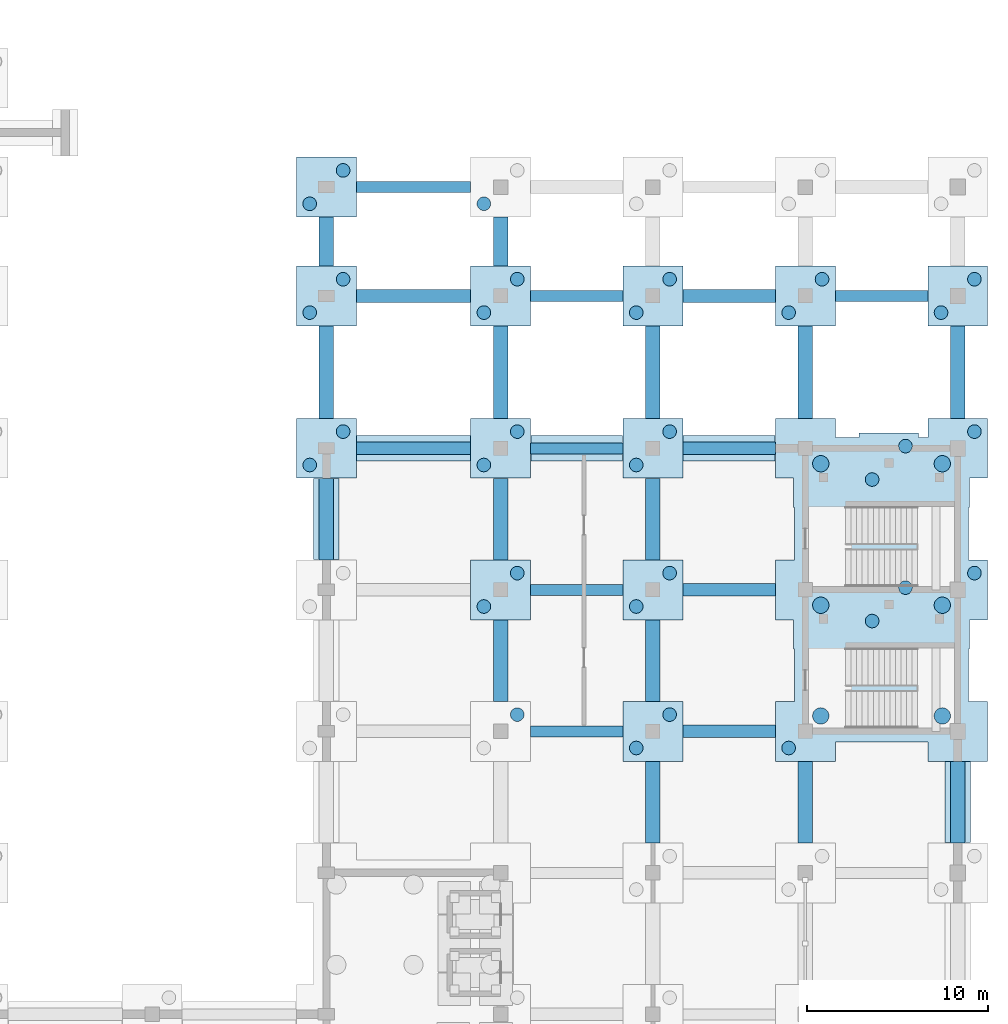
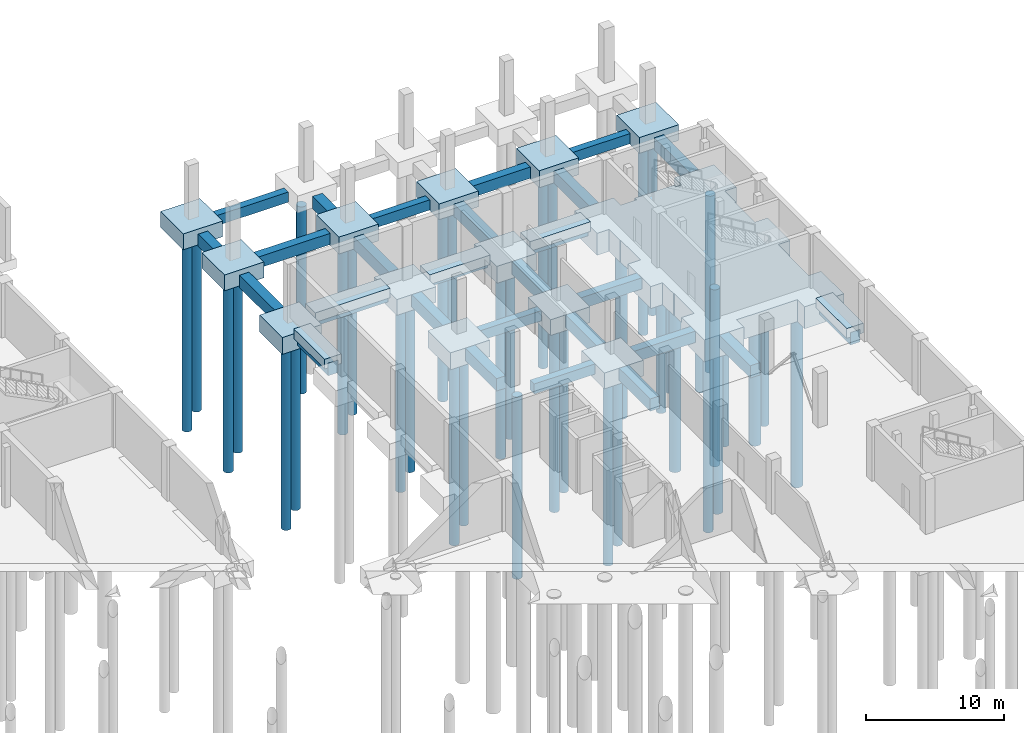
# One storey, part 14 of 42: 45 footings, 39 piles.
"""IFC4 building model written with IfcOpenShell, lengths in metres."""

from ifc_helpers import new_model, si_unit, direction, frame, origin, origin_2d, place, context, subcontext, project, spatial, polyline, rectangle, circle, outline, extrude, material, layer, layer_set, material_profile, profile_set, type_object, element, save


model = new_model("IFC4")

# Units and contexts
model_context = context("Model", 3, precision=1e-05, world=origin(), true_north=direction((0.0, 1.0)))
body_context = subcontext(model_context, "Body", "Model", "MODEL_VIEW")
ifc_project = project(units=[si_unit("LENGTHUNIT", "METRE"), si_unit("AREAUNIT", "SQUARE_METRE"), si_unit("VOLUMEUNIT", "CUBIC_METRE"), si_unit("PLANEANGLEUNIT", "RADIAN"), si_unit("MASSUNIT", "GRAM", prefix="KILO")], contexts=[model_context])

# Site, building, storey
site_placement = place(None, origin())
site = spatial("IfcSite", under=ifc_project, at=site_placement, CompositionType="ELEMENT")
building_placement = place(site_placement, origin())
building = spatial("IfcBuilding", under=site, at=building_placement, Name="Pellamere Symphony Hall", CompositionType="ELEMENT")
storey_placement = place(building_placement, frame((0.0, 0.0, -4.800048828125)))
storey = spatial("IfcBuildingStorey", under=building, at=storey_placement, Name="B1", CompositionType="ELEMENT", Elevation=-4.800048828125)

# Piles
ifc_material_1 = material(Name="Concrete 35 MPa", Category="concrete")
ifc_material_profile_1 = material_profile(ifc_material_1, circle(Radius=0.375, at=origin_2d()), Name="PILE D750")
ifc_profile_set_1 = profile_set([ifc_material_profile_1], Name="Concrete 35 MPa")
pile_type_1 = type_object("IfcPileType", Name="Bored Pile 750mm Concrete 35 MPa", PredefinedType="BORED", material=ifc_profile_set_1)
pile_1_placement = place(storey_placement, frame((148.52001953125, 70.52001953125, -1.849853515625), z_axis=(0.0, 0.0, -1.0), x_axis=(1.0, 0.0, 0.0)))
element("IfcPile", 1, at=pile_1_placement, inside=storey, type_object=pile_type_1, Name="Bored Pile BP-750-P404", PredefinedType="BORED", context=body_context, shape_type="SweptSolid", body=[
    extrude(circle(Radius=0.375, at=origin_2d()), origin(), (0.0, 0.0, 1.0), 16.14990234375),
])
for number, where, z_axis, x_axis, name in (
    (2, (155.080078125, 68.679931640625, -1.75), (0.0, 0.0, -1.0), (1.0, 0.0, 0.0), "Bored Pile BP-750-P405"),
    (3, (156.919921875, 70.52001953125, -1.75), (0.0, 0.0, -1.0), (1.0, 0.0, 0.0), "Bored Pile BP-750-P406"),
):
    element("IfcPile", number, at=place(storey_placement, frame(where, z_axis=z_axis, x_axis=x_axis)), inside=storey, type_object=pile_type_1, Name=name, PredefinedType="BORED", context=body_context, shape_type="SweptSolid", body=[
        extrude(circle(Radius=0.375, at=origin_2d()), origin(), (0.0, 0.0, 1.0), 16.25),
    ])
for number, where, z_axis, x_axis, name in (
    (4, (163.47998046875, 68.679931640625, -2.300048828125), (0.0, 0.0, -1.0), (1.0, 0.0, 0.0), "Bored Pile BP-750-P413"),
    (5, (173.719970703125, 78.320068359375, -2.300048828125), (0.0, 0.0, -1.0), (1.0, 0.0, 0.0), "Bored Pile BP-750-P414"),
    (6, (173.719970703125, 86.1201171875, -2.300048828125), (0.0, 0.0, -1.0), (1.0, 0.0, 0.0), "Bored Pile BP-750-P415"),
    (7, (168.080078125, 75.679931640625, -2.300048828125), (0.0, 0.0, -1.0), (1.0, 0.0, 0.0), "Bored Pile BP-750-P416"),
    (8, (169.919921875, 77.52001953125, -2.300048828125), (0.0, 0.0, -1.0), (1.0, 0.0, 0.0), "Bored Pile BP-750-P417"),
    (9, (168.080078125, 83.47998046875, -2.300048828125), (0.0, 0.0, -1.0), (1.0, 0.0, 0.0), "Bored Pile BP-750-P418"),
    (10, (169.919921875, 85.320068359375, -2.300048828125), (0.0, 0.0, -1.0), (1.0, 0.0, 0.0), "Bored Pile BP-750-P419"),
):
    element("IfcPile", number, at=place(storey_placement, frame(where, z_axis=z_axis, x_axis=x_axis)), inside=storey, type_object=pile_type_1, Name=name, PredefinedType="BORED", context=body_context, shape_type="SweptSolid", body=[
        extrude(circle(Radius=0.375, at=origin_2d()), origin(), (0.0, 0.0, 1.0), 15.699951171875),
    ])
for number, where, z_axis, x_axis, name in (
    (11, (146.679931640625, 76.47998046875, -1.849853515625), (0.0, 0.0, -1.0), (1.0, 0.0, 0.0), "Bored Pile BP-750-P478"),
    (12, (148.52001953125, 78.320068359375, -1.849853515625), (0.0, 0.0, -1.0), (1.0, 0.0, 0.0), "Bored Pile BP-750-P479"),
):
    element("IfcPile", number, at=place(storey_placement, frame(where, z_axis=z_axis, x_axis=x_axis)), inside=storey, type_object=pile_type_1, Name=name, PredefinedType="BORED", context=body_context, shape_type="SweptSolid", body=[
        extrude(circle(Radius=0.375, at=origin_2d()), origin(), (0.0, 0.0, 1.0), 16.14990234375),
    ])
for number, where, z_axis, x_axis, name in (
    (13, (155.080078125, 76.47998046875, -1.75), (0.0, 0.0, -1.0), (1.0, 0.0, 0.0), "Bored Pile BP-750-P480"),
    (14, (156.919921875, 78.320068359375, -1.75), (0.0, 0.0, -1.0), (1.0, 0.0, 0.0), "Bored Pile BP-750-P481"),
):
    element("IfcPile", number, at=place(storey_placement, frame(where, z_axis=z_axis, x_axis=x_axis)), inside=storey, type_object=pile_type_1, Name=name, PredefinedType="BORED", context=body_context, shape_type="SweptSolid", body=[
        extrude(circle(Radius=0.375, at=origin_2d()), origin(), (0.0, 0.0, 1.0), 16.25),
    ])
for number, where, z_axis, x_axis, name in (
    (15, (137.080078125, 84.280029296875, -1.849853515625), (0.0, 0.0, -1.0), (1.0, 0.0, 0.0), "Bored Pile BP-750-P494"),
    (16, (138.919921875, 86.1201171875, -1.849853515625), (0.0, 0.0, -1.0), (1.0, 0.0, 0.0), "Bored Pile BP-750-P495"),
):
    element("IfcPile", number, at=place(storey_placement, frame(where, z_axis=z_axis, x_axis=x_axis)), inside=storey, type_object=pile_type_1, Name=name, PredefinedType="BORED", context=body_context, shape_type="SweptSolid", body=[
        extrude(circle(Radius=0.375, at=origin_2d()), origin(), (0.0, 0.0, 1.0), 16.14990234375),
    ])
for number, where, z_axis, x_axis, name in (
    (17, (146.679931640625, 84.280029296875, -1.75), (0.0, 0.0, -1.0), (1.0, 0.0, 0.0), "Bored Pile BP-750-P496"),
    (18, (148.52001953125, 86.1201171875, -1.75), (0.0, 0.0, -1.0), (1.0, 0.0, 0.0), "Bored Pile BP-750-P497"),
):
    element("IfcPile", number, at=place(storey_placement, frame(where, z_axis=z_axis, x_axis=x_axis)), inside=storey, type_object=pile_type_1, Name=name, PredefinedType="BORED", context=body_context, shape_type="SweptSolid", body=[
        extrude(circle(Radius=0.375, at=origin_2d()), origin(), (0.0, 0.0, 1.0), 16.25),
    ])
for number, where, z_axis, x_axis, name in (
    (19, (155.080078125, 84.280029296875, -1.849853515625), (0.0, 0.0, -1.0), (1.0, 0.0, 0.0), "Bored Pile BP-750-P498"),
    (20, (156.919921875, 86.1201171875, -1.849853515625), (0.0, 0.0, -1.0), (1.0, 0.0, 0.0), "Bored Pile BP-750-P499"),
):
    element("IfcPile", number, at=place(storey_placement, frame(where, z_axis=z_axis, x_axis=x_axis)), inside=storey, type_object=pile_type_1, Name=name, PredefinedType="BORED", context=body_context, shape_type="SweptSolid", body=[
        extrude(circle(Radius=0.375, at=origin_2d()), origin(), (0.0, 0.0, 1.0), 16.14990234375),
    ])
for number, where, z_axis, x_axis, name in (
    (21, (137.080078125, 92.679931640625, -1.300048828125), (0.0, 0.0, -1.0), (1.0, 0.0, 0.0), "Bored Pile BP-750-P512"),
    (22, (138.919921875, 94.52001953125, -1.300048828125), (0.0, 0.0, -1.0), (1.0, 0.0, 0.0), "Bored Pile BP-750-P513"),
):
    element("IfcPile", number, at=place(storey_placement, frame(where, z_axis=z_axis, x_axis=x_axis)), inside=storey, type_object=pile_type_1, Name=name, PredefinedType="BORED", context=body_context, shape_type="SweptSolid", body=[
        extrude(circle(Radius=0.375, at=origin_2d()), origin(), (0.0, 0.0, 1.0), 16.699951171875),
    ])
for number, where, z_axis, x_axis, name in (
    (23, (146.679931640625, 92.679931640625, -1.39990234375), (0.0, 0.0, -1.0), (1.0, 0.0, 0.0), "Bored Pile BP-750-P514"),
    (24, (148.52001953125, 94.52001953125, -1.39990234375), (0.0, 0.0, -1.0), (1.0, 0.0, 0.0), "Bored Pile BP-750-P515"),
):
    element("IfcPile", number, at=place(storey_placement, frame(where, z_axis=z_axis, x_axis=x_axis)), inside=storey, type_object=pile_type_1, Name=name, PredefinedType="BORED", context=body_context, shape_type="SweptSolid", body=[
        extrude(circle(Radius=0.375, at=origin_2d()), origin(), (0.0, 0.0, 1.0), 16.60009765625),
    ])
for number, where, z_axis, x_axis, name in (
    (25, (155.080078125, 92.679931640625, -1.300048828125), (0.0, 0.0, -1.0), (1.0, 0.0, 0.0), "Bored Pile BP-750-P516"),
    (26, (156.919921875, 94.52001953125, -1.300048828125), (0.0, 0.0, -1.0), (1.0, 0.0, 0.0), "Bored Pile BP-750-P517"),
):
    element("IfcPile", number, at=place(storey_placement, frame(where, z_axis=z_axis, x_axis=x_axis)), inside=storey, type_object=pile_type_1, Name=name, PredefinedType="BORED", context=body_context, shape_type="SweptSolid", body=[
        extrude(circle(Radius=0.375, at=origin_2d()), origin(), (0.0, 0.0, 1.0), 16.699951171875),
    ])
for number, where, z_axis, x_axis, name in (
    (27, (163.47998046875, 92.679931640625, -1.39990234375), (0.0, 0.0, -1.0), (1.0, 0.0, 0.0), "Bored Pile BP-750-P518"),
    (28, (165.320068359375, 94.52001953125, -1.39990234375), (0.0, 0.0, -1.0), (1.0, 0.0, 0.0), "Bored Pile BP-750-P519"),
):
    element("IfcPile", number, at=place(storey_placement, frame(where, z_axis=z_axis, x_axis=x_axis)), inside=storey, type_object=pile_type_1, Name=name, PredefinedType="BORED", context=body_context, shape_type="SweptSolid", body=[
        extrude(circle(Radius=0.375, at=origin_2d()), origin(), (0.0, 0.0, 1.0), 16.60009765625),
    ])
for number, where, z_axis, x_axis, name in (
    (29, (171.8798828125, 92.679931640625, -1.300048828125), (0.0, 0.0, -1.0), (1.0, 0.0, 0.0), "Bored Pile BP-750-P520"),
    (30, (173.719970703125, 94.52001953125, -1.300048828125), (0.0, 0.0, -1.0), (1.0, 0.0, 0.0), "Bored Pile BP-750-P521"),
    (31, (137.080078125, 98.679931640625, -1.300048828125), (0.0, 0.0, -1.0), (1.0, 0.0, 0.0), "Bored Pile BP-750-P536"),
    (32, (138.919921875, 100.52001953125, -1.300048828125), (0.0, 0.0, -1.0), (1.0, 0.0, 0.0), "Bored Pile BP-750-P537"),
):
    element("IfcPile", number, at=place(storey_placement, frame(where, z_axis=z_axis, x_axis=x_axis)), inside=storey, type_object=pile_type_1, Name=name, PredefinedType="BORED", context=body_context, shape_type="SweptSolid", body=[
        extrude(circle(Radius=0.375, at=origin_2d()), origin(), (0.0, 0.0, 1.0), 16.699951171875),
    ])
pile_2_placement = place(storey_placement, frame((146.679931640625, 98.679931640625, -1.39990234375), z_axis=(0.0, 0.0, -1.0), x_axis=(1.0, 0.0, 0.0)))
element("IfcPile", 33, at=pile_2_placement, inside=storey, type_object=pile_type_1, Name="Bored Pile BP-750-P538", PredefinedType="BORED", context=body_context, shape_type="SweptSolid", body=[
    extrude(circle(Radius=0.375, at=origin_2d()), origin(), (0.0, 0.0, 1.0), 16.60009765625),
])
ifc_material_2 = material(Name="Concrete 40 MPa", Category="concrete")
ifc_material_profile_2 = material_profile(ifc_material_2, circle(Radius=0.449951171875, at=origin_2d()), Name="PILE D900")
ifc_profile_set_2 = profile_set([ifc_material_profile_2], Name="Concrete 40 MPa")
pile_type_2 = type_object("IfcPileType", Name="Bored Pile 900mm Concrete 40 MPa", PredefinedType="BORED", material=ifc_profile_set_2)
for number, where, z_axis, x_axis, name in (
    (34, (165.25, 70.449951171875, -2.300048828125), (0.0, 0.0, -1.0), (1.0, 0.0, 0.0), "Bored Pile BP-900-P407"),
    (35, (171.949951171875, 70.449951171875, -2.300048828125), (0.0, 0.0, -1.0), (1.0, 0.0, 0.0), "Bored Pile BP-900-P408"),
    (36, (165.25, 76.550048828125, -2.300048828125), (0.0, 0.0, -1.0), (1.0, 0.0, 0.0), "Bored Pile BP-900-P409"),
    (37, (171.949951171875, 76.550048828125, -2.300048828125), (0.0, 0.0, -1.0), (1.0, 0.0, 0.0), "Bored Pile BP-900-P410"),
    (38, (165.25, 84.35009765625, -2.300048828125), (0.0, 0.0, -1.0), (1.0, 0.0, 0.0), "Bored Pile BP-900-P411"),
    (39, (171.949951171875, 84.35009765625, -2.300048828125), (0.0, 0.0, -1.0), (1.0, 0.0, 0.0), "Bored Pile BP-900-P412"),
):
    element("IfcPile", number, at=place(storey_placement, frame(where, z_axis=z_axis, x_axis=x_axis)), inside=storey, type_object=pile_type_2, Name=name, PredefinedType="BORED", context=body_context, shape_type="SweptSolid", body=[
        extrude(circle(Radius=0.449951171875, at=origin_2d()), origin(), (0.0, 0.0, 1.0), 15.699951171875),
    ])

# Footings
ifc_material_profile_3 = material_profile(ifc_material_2, rectangle(XDim=0.60009765625, YDim=0.89990234375, at=origin_2d()), Name="RC 600x900")
ifc_profile_set_3 = profile_set([ifc_material_profile_3], Name="Concrete 40 MPa")
footing_type_1 = type_object("IfcFootingType", Name="Foundation FB-01 600x900", PredefinedType="FOOTING_BEAM", material=ifc_profile_set_3)
for number, where, z_axis, x_axis, name in (
    (40, (149.251953125, 69.60009765625, -0.89990234375), (1.0, 0.0, 0.0), (0.0, 1.0, 0.0), "Foundation Beam FB-01-176"),
    (41, (149.251953125, 77.39990234375, -0.89990234375), (1.0, 0.0, 0.0), (0.0, 1.0, 0.0), "Foundation Beam FB-01-186"),
    (42, (149.251953125, 85.199951171875, -0.89990234375), (1.0, 0.0, 0.0), (0.0, 1.0, 0.0), "Foundation Beam FB-01-196"),
    (43, (149.251953125, 93.60009765625, -0.89990234375), (1.0, 0.0, 0.0), (0.0, 1.0, 0.0), "Foundation Beam FB-01-206"),
    (44, (166.052001953125, 93.60009765625, -0.89990234375), (1.0, 0.0, 0.0), (0.0, 1.0, 0.0), "Foundation Beam FB-01-208"),
):
    element("IfcFooting", number, at=place(storey_placement, frame(where, z_axis=z_axis, x_axis=x_axis)), inside=storey, type_object=footing_type_1, Name=name, PredefinedType="FOOTING_BEAM", context=body_context, shape_type="SweptSolid", body=[
        extrude(rectangle(XDim=0.60009765625, YDim=0.89990234375, at=origin_2d()), origin(), (0.0, 0.0, 1.0), 5.095947265625),
    ])
footing_1_placement = place(storey_placement, frame((139.652099609375, 99.60009765625, -0.89990234375), z_axis=(1.0, 0.0, 0.0), x_axis=(0.0, 1.0, 0.0)))
element("IfcFooting", 45, at=footing_1_placement, inside=storey, type_object=footing_type_1, Name="Foundation Beam FB-01-214", PredefinedType="FOOTING_BEAM", context=body_context, shape_type="SweptSolid", body=[
    extrude(rectangle(XDim=0.60009765625, YDim=0.89990234375, at=origin_2d()), origin(), (0.0, 0.0, 1.0), 6.2958984375),
])
ifc_material_profile_4 = material_profile(ifc_material_2, rectangle(XDim=0.699951171875, YDim=1.0, at=origin_2d()), Name="RC 700x1000")
ifc_profile_set_4 = profile_set([ifc_material_profile_4], Name="Concrete 40 MPa")
footing_type_2 = type_object("IfcFootingType", Name="Foundation FB-02 700x1000", PredefinedType="FOOTING_BEAM", material=ifc_profile_set_4)
for number, where, z_axis, x_axis, name in (
    (46, (157.652099609375, 69.60009765625, -0.949951171875), (1.0, 0.0, 0.0), (0.0, 1.0, 0.0), "Foundation Beam FB-02-177"),
    (47, (157.652099609375, 77.39990234375, -0.949951171875), (1.0, 0.0, 0.0), (0.0, 1.0, 0.0), "Foundation Beam FB-02-187"),
):
    element("IfcFooting", number, at=place(storey_placement, frame(where, z_axis=z_axis, x_axis=x_axis)), inside=storey, type_object=footing_type_2, Name=name, PredefinedType="FOOTING_BEAM", context=body_context, shape_type="SweptSolid", body=[
        extrude(rectangle(XDim=0.699951171875, YDim=1.0, at=origin_2d()), origin(), (0.0, 0.0, 1.0), 5.095947265625),
    ])
footing_2_placement = place(storey_placement, frame((139.652099609375, 85.199951171875, -0.949951171875), z_axis=(1.0, 0.0, 0.0), x_axis=(0.0, 1.0, 0.0)))
element("IfcFooting", 48, at=footing_2_placement, inside=storey, type_object=footing_type_2, Name="Foundation Beam FB-02-195", PredefinedType="FOOTING_BEAM", context=body_context, shape_type="SweptSolid", body=[
    extrude(rectangle(XDim=0.699951171875, YDim=1.0, at=origin_2d()), origin(), (0.0, 0.0, 1.0), 6.2958984375),
])
footing_3_placement = place(storey_placement, frame((157.652099609375, 85.199951171875, -0.949951171875), z_axis=(1.0, 0.0, 0.0), x_axis=(0.0, 1.0, 0.0)))
element("IfcFooting", 49, at=footing_3_placement, inside=storey, type_object=footing_type_2, Name="Foundation Beam FB-02-197", PredefinedType="FOOTING_BEAM", context=body_context, shape_type="SweptSolid", body=[
    extrude(rectangle(XDim=0.699951171875, YDim=1.0, at=origin_2d()), origin(), (0.0, 0.0, 1.0), 5.095947265625),
])
footing_4_placement = place(storey_placement, frame((139.652099609375, 93.60009765625, -0.949951171875), z_axis=(1.0, 0.0, 0.0), x_axis=(0.0, 1.0, 0.0)))
element("IfcFooting", 50, at=footing_4_placement, inside=storey, type_object=footing_type_2, Name="Foundation Beam FB-02-205", PredefinedType="FOOTING_BEAM", context=body_context, shape_type="SweptSolid", body=[
    extrude(rectangle(XDim=0.699951171875, YDim=1.0, at=origin_2d()), origin(), (0.0, 0.0, 1.0), 6.2958984375),
])
footing_5_placement = place(storey_placement, frame((157.652099609375, 93.60009765625, -0.949951171875), z_axis=(1.0, 0.0, 0.0), x_axis=(0.0, 1.0, 0.0)))
element("IfcFooting", 51, at=footing_5_placement, inside=storey, type_object=footing_type_2, Name="Foundation Beam FB-02-207", PredefinedType="FOOTING_BEAM", context=body_context, shape_type="SweptSolid", body=[
    extrude(rectangle(XDim=0.699951171875, YDim=1.0, at=origin_2d()), origin(), (0.0, 0.0, 1.0), 5.095947265625),
])
ifc_material_profile_5 = material_profile(ifc_material_2, rectangle(XDim=0.800048828125, YDim=1.10009765625, at=origin_2d()), Name="RC 800x1100")
ifc_profile_set_5 = profile_set([ifc_material_profile_5], Name="Concrete 40 MPa")
footing_type_3 = type_object("IfcFootingType", Name="Foundation FB-03 800x1100", PredefinedType="FOOTING_BEAM", material=ifc_profile_set_5)
footing_6_placement = place(storey_placement, frame((138.0, 79.052001953125, -1.0), z_axis=(0.0, 1.0, 0.0), x_axis=(-1.0, 0.0, 0.0)))
element("IfcFooting", 52, at=footing_6_placement, inside=storey, type_object=footing_type_3, Name="Foundation Beam FB-03-357", PredefinedType="FOOTING_BEAM", context=body_context, shape_type="SweptSolid", body=[
    extrude(rectangle(XDim=0.800048828125, YDim=1.10009765625, at=origin_2d()), origin(), (0.0, 0.0, 1.0), 4.49609375),
])
footing_7_placement = place(storey_placement, frame((138.0, 86.85205078125, -1.0), z_axis=(0.0, 1.0, 0.0), x_axis=(-1.0, 0.0, 0.0)))
element("IfcFooting", 53, at=footing_7_placement, inside=storey, type_object=footing_type_3, Name="Foundation Beam FB-03-358", PredefinedType="FOOTING_BEAM", context=body_context, shape_type="SweptSolid", body=[
    extrude(rectangle(XDim=0.800048828125, YDim=1.10009765625, at=origin_2d()), origin(), (0.0, 0.0, 1.0), 5.095947265625),
])
footing_8_placement = place(storey_placement, frame((138.0, 95.251953125, -1.0), z_axis=(0.0, 1.0, 0.0), x_axis=(-1.0, 0.0, 0.0)))
element("IfcFooting", 54, at=footing_8_placement, inside=storey, type_object=footing_type_3, Name="Foundation Beam FB-03-359", PredefinedType="FOOTING_BEAM", context=body_context, shape_type="SweptSolid", body=[
    extrude(rectangle(XDim=0.800048828125, YDim=1.10009765625, at=origin_2d()), origin(), (0.0, 0.0, 1.0), 2.696044921875),
])
for number, where, z_axis, x_axis, name in (
    (55, (147.60009765625, 71.251953125, -1.0), (0.0, 1.0, 0.0), (-1.0, 0.0, 0.0), "Foundation Beam FB-03-364"),
    (56, (147.60009765625, 79.052001953125, -1.0), (0.0, 1.0, 0.0), (-1.0, 0.0, 0.0), "Foundation Beam FB-03-365"),
):
    element("IfcFooting", number, at=place(storey_placement, frame(where, z_axis=z_axis, x_axis=x_axis)), inside=storey, type_object=footing_type_3, Name=name, PredefinedType="FOOTING_BEAM", context=body_context, shape_type="SweptSolid", body=[
        extrude(rectangle(XDim=0.800048828125, YDim=1.10009765625, at=origin_2d()), origin(), (0.0, 0.0, 1.0), 4.49609375),
    ])
footing_9_placement = place(storey_placement, frame((147.60009765625, 86.85205078125, -1.0), z_axis=(0.0, 1.0, 0.0), x_axis=(-1.0, 0.0, 0.0)))
element("IfcFooting", 57, at=footing_9_placement, inside=storey, type_object=footing_type_3, Name="Foundation Beam FB-03-366", PredefinedType="FOOTING_BEAM", context=body_context, shape_type="SweptSolid", body=[
    extrude(rectangle(XDim=0.800048828125, YDim=1.10009765625, at=origin_2d()), origin(), (0.0, 0.0, 1.0), 5.095947265625),
])
footing_10_placement = place(storey_placement, frame((147.60009765625, 95.251953125, -1.0), z_axis=(0.0, 1.0, 0.0), x_axis=(-1.0, 0.0, 0.0)))
element("IfcFooting", 58, at=footing_10_placement, inside=storey, type_object=footing_type_3, Name="Foundation Beam FB-03-367", PredefinedType="FOOTING_BEAM", context=body_context, shape_type="SweptSolid", body=[
    extrude(rectangle(XDim=0.800048828125, YDim=1.10009765625, at=origin_2d()), origin(), (0.0, 0.0, 1.0), 2.696044921875),
])
for number, where, z_axis, x_axis, name in (
    (59, (156.0, 63.451904296875, -1.0), (0.0, 1.0, 0.0), (-1.0, 0.0, 0.0), "Foundation Beam FB-03-374"),
    (60, (156.0, 71.251953125, -1.0), (0.0, 1.0, 0.0), (-1.0, 0.0, 0.0), "Foundation Beam FB-03-375"),
    (61, (156.0, 79.052001953125, -1.0), (0.0, 1.0, 0.0), (-1.0, 0.0, 0.0), "Foundation Beam FB-03-376"),
):
    element("IfcFooting", number, at=place(storey_placement, frame(where, z_axis=z_axis, x_axis=x_axis)), inside=storey, type_object=footing_type_3, Name=name, PredefinedType="FOOTING_BEAM", context=body_context, shape_type="SweptSolid", body=[
        extrude(rectangle(XDim=0.800048828125, YDim=1.10009765625, at=origin_2d()), origin(), (0.0, 0.0, 1.0), 4.49609375),
    ])
footing_11_placement = place(storey_placement, frame((156.0, 86.85205078125, -1.0), z_axis=(0.0, 1.0, 0.0), x_axis=(-1.0, 0.0, 0.0)))
element("IfcFooting", 62, at=footing_11_placement, inside=storey, type_object=footing_type_3, Name="Foundation Beam FB-03-377", PredefinedType="FOOTING_BEAM", context=body_context, shape_type="SweptSolid", body=[
    extrude(rectangle(XDim=0.800048828125, YDim=1.10009765625, at=origin_2d()), origin(), (0.0, 0.0, 1.0), 5.095947265625),
])
footing_12_placement = place(storey_placement, frame((164.39990234375, 63.451904296875, -1.0), z_axis=(0.0, 1.0, 0.0), x_axis=(-1.0, 0.0, 0.0)))
element("IfcFooting", 63, at=footing_12_placement, inside=storey, type_object=footing_type_3, Name="Foundation Beam FB-03-384", PredefinedType="FOOTING_BEAM", context=body_context, shape_type="SweptSolid", body=[
    extrude(rectangle(XDim=0.800048828125, YDim=1.10009765625, at=origin_2d()), origin(), (0.0, 0.0, 1.0), 4.49609375),
])
footing_13_placement = place(storey_placement, frame((164.39990234375, 86.85205078125, -1.0), z_axis=(0.0, 1.0, 0.0), x_axis=(-1.0, 0.0, 0.0)))
element("IfcFooting", 64, at=footing_13_placement, inside=storey, type_object=footing_type_3, Name="Foundation Beam FB-03-385", PredefinedType="FOOTING_BEAM", context=body_context, shape_type="SweptSolid", body=[
    extrude(rectangle(XDim=0.800048828125, YDim=1.10009765625, at=origin_2d()), origin(), (0.0, 0.0, 1.0), 5.095947265625),
])
footing_14_placement = place(storey_placement, frame((172.800048828125, 63.451904296875, -1.0), z_axis=(0.0, 1.0, 0.0), x_axis=(-1.0, 0.0, 0.0)))
element("IfcFooting", 65, at=footing_14_placement, inside=storey, type_object=footing_type_3, Name="Foundation Beam FB-03-392", PredefinedType="FOOTING_BEAM", context=body_context, shape_type="SweptSolid", body=[
    extrude(rectangle(XDim=0.800048828125, YDim=1.10009765625, at=origin_2d()), origin(), (0.0, 0.0, 1.0), 4.49609375),
])
footing_15_placement = place(storey_placement, frame((172.800048828125, 86.85205078125, -1.0), z_axis=(0.0, 1.0, 0.0), x_axis=(-1.0, 0.0, 0.0)))
element("IfcFooting", 66, at=footing_15_placement, inside=storey, type_object=footing_type_3, Name="Foundation Beam FB-03-393", PredefinedType="FOOTING_BEAM", context=body_context, shape_type="SweptSolid", body=[
    extrude(rectangle(XDim=0.800048828125, YDim=1.10009765625, at=origin_2d()), origin(), (0.0, 0.0, 1.0), 5.095947265625),
])
ifc_material_profile_6 = material_profile(ifc_material_2, rectangle(XDim=1.39990234375, YDim=0.85009765625, at=origin_2d()), Name="RC 1400x850")
ifc_profile_set_6 = profile_set([ifc_material_profile_6], Name="Concrete 40 MPa")
footing_type_4 = type_object("IfcFootingType", Name="Foundation SF-02 1400x850", PredefinedType="STRIP_FOOTING", material=ifc_profile_set_6)
footing_16_placement = place(storey_placement, frame((138.0, 79.06494140625, -0.425048828125), z_axis=(0.0, 1.0, 0.0), x_axis=(-1.0, 0.0, 0.0)))
element("IfcFooting", 67, at=footing_16_placement, inside=storey, type_object=footing_type_4, Name="Foundation Beam SF-02-028", PredefinedType="STRIP_FOOTING", context=body_context, shape_type="SweptSolid", body=[
    extrude(rectangle(XDim=1.39990234375, YDim=0.85009765625, at=origin_2d()), origin(), (0.0, 0.0, 1.0), 4.469970703125),
])
footing_17_placement = place(storey_placement, frame((139.6650390625, 85.199951171875, -0.425048828125), z_axis=(1.0, 0.0, 0.0), x_axis=(0.0, 1.0, 0.0)))
element("IfcFooting", 68, at=footing_17_placement, inside=storey, type_object=footing_type_4, Name="Foundation Beam SF-02-029", PredefinedType="STRIP_FOOTING", context=body_context, shape_type="SweptSolid", body=[
    extrude(rectangle(XDim=1.39990234375, YDim=0.85009765625, at=origin_2d()), origin(), (0.0, 0.0, 1.0), 6.27001953125),
])
for number, where, z_axis, x_axis, name in (
    (69, (149.264892578125, 85.199951171875, -0.425048828125), (1.0, 0.0, 0.0), (0.0, 1.0, 0.0), "Foundation Beam SF-02-030"),
    (70, (157.6650390625, 85.199951171875, -0.425048828125), (1.0, 0.0, 0.0), (0.0, 1.0, 0.0), "Foundation Beam SF-02-031"),
):
    element("IfcFooting", number, at=place(storey_placement, frame(where, z_axis=z_axis, x_axis=x_axis)), inside=storey, type_object=footing_type_4, Name=name, PredefinedType="STRIP_FOOTING", context=body_context, shape_type="SweptSolid", body=[
        extrude(rectangle(XDim=1.39990234375, YDim=0.85009765625, at=origin_2d()), origin(), (0.0, 0.0, 1.0), 5.070068359375),
    ])
footing_18_placement = place(storey_placement, frame((172.800048828125, 67.93505859375, -0.425048828125), z_axis=(0.0, -1.0, 0.0), x_axis=(1.0, 0.0, 0.0)))
element("IfcFooting", 71, at=footing_18_placement, inside=storey, type_object=footing_type_4, Name="Foundation Beam SF-02-032", PredefinedType="STRIP_FOOTING", context=body_context, shape_type="SweptSolid", body=[
    extrude(rectangle(XDim=1.39990234375, YDim=0.85009765625, at=origin_2d()), origin(), (0.0, 0.0, 1.0), 4.469970703125),
])
ifc_layer_1 = layer(ifc_material_2, 1.39990234375, Name="Concrete 40 MPa")
ifc_layer_set_1 = layer_set([ifc_layer_1], Name="Concrete 40 MPa")
footing_type_5 = type_object("IfcFootingType", Name="Pile Cap PC-02 3300x3300x1400", PredefinedType="PILE_CAP", material=ifc_layer_set_1)
footing_19_placement = place(storey_placement, frame((0.0, 0.0, -1.849853515625)))
element("IfcFooting", 72, at=footing_19_placement, inside=storey, type_object=footing_type_5, Name="Pile Cap PC-02-156", PredefinedType="PILE_CAP", context=body_context, shape_type="SweptSolid", body=[
    extrude(outline(polyline([(154.35009765625, 67.949951171875), (154.35009765625, 71.25), (157.64990234375, 71.25), (157.64990234375, 67.949951171875), (154.35009765625, 67.949951171875)])), origin(), (0.0, 0.0, 1.0), 1.39990234375),
])
footing_20_placement = place(storey_placement, frame((0.0, 0.0, -1.849853515625)))
element("IfcFooting", 73, at=footing_20_placement, inside=storey, type_object=footing_type_5, Name="Pile Cap PC-02-168", PredefinedType="PILE_CAP", context=body_context, shape_type="SweptSolid", body=[
    extrude(outline(polyline([(154.35009765625, 75.75), (154.35009765625, 79.050048828125), (157.64990234375, 79.050048828125), (157.64990234375, 75.75), (154.35009765625, 75.75)])), origin(), (0.0, 0.0, 1.0), 1.39990234375),
])
footing_21_placement = place(storey_placement, frame((0.0, 0.0, -1.849853515625)))
element("IfcFooting", 74, at=footing_21_placement, inside=storey, type_object=footing_type_5, Name="Pile Cap PC-02-176", PredefinedType="PILE_CAP", context=body_context, shape_type="SweptSolid", body=[
    extrude(outline(polyline([(149.25, 83.550048828125), (145.949951171875, 83.550048828125), (145.949951171875, 86.85009765625), (149.25, 86.85009765625), (149.25, 83.550048828125)])), origin(), (0.0, 0.0, 1.0), 1.39990234375),
])
footing_22_placement = place(storey_placement, frame((0.0, 0.0, -1.39990234375)))
element("IfcFooting", 75, at=footing_22_placement, inside=storey, type_object=footing_type_5, Name="Pile Cap PC-02-184", PredefinedType="PILE_CAP", context=body_context, shape_type="SweptSolid", body=[
    extrude(outline(polyline([(136.35009765625, 91.949951171875), (136.35009765625, 95.25), (139.64990234375, 95.25), (139.64990234375, 91.949951171875), (136.35009765625, 91.949951171875)])), origin(), (0.0, 0.0, 1.0), 1.39990234375),
])
footing_23_placement = place(storey_placement, frame((0.0, 0.0, -1.39990234375)))
element("IfcFooting", 76, at=footing_23_placement, inside=storey, type_object=footing_type_5, Name="Pile Cap PC-02-186", PredefinedType="PILE_CAP", context=body_context, shape_type="SweptSolid", body=[
    extrude(outline(polyline([(154.35009765625, 91.949951171875), (154.35009765625, 95.25), (157.64990234375, 95.25), (157.64990234375, 91.949951171875), (154.35009765625, 91.949951171875)])), origin(), (0.0, 0.0, 1.0), 1.39990234375),
])
footing_24_placement = place(storey_placement, frame((0.0, 0.0, -1.39990234375)))
element("IfcFooting", 77, at=footing_24_placement, inside=storey, type_object=footing_type_5, Name="Pile Cap PC-02-188", PredefinedType="PILE_CAP", context=body_context, shape_type="SweptSolid", body=[
    extrude(outline(polyline([(171.14990234375, 91.949951171875), (171.14990234375, 95.25), (174.449951171875, 95.25), (174.449951171875, 91.949951171875), (171.14990234375, 91.949951171875)])), origin(), (0.0, 0.0, 1.0), 1.39990234375),
])
footing_25_placement = place(storey_placement, frame((0.0, 0.0, -1.39990234375)))
element("IfcFooting", 78, at=footing_25_placement, inside=storey, type_object=footing_type_5, Name="Pile Cap PC-02-196", PredefinedType="PILE_CAP", context=body_context, shape_type="SweptSolid", body=[
    extrude(outline(polyline([(136.35009765625, 97.949951171875), (136.35009765625, 101.25), (139.64990234375, 101.25), (139.64990234375, 97.949951171875), (136.35009765625, 97.949951171875)])), origin(), (0.0, 0.0, 1.0), 1.39990234375),
])
ifc_layer_2 = layer(ifc_material_2, 1.5, Name="Concrete 40 MPa")
ifc_layer_set_2 = layer_set([ifc_layer_2], Name="Concrete 40 MPa")
footing_type_6 = type_object("IfcFootingType", Name="Pile Cap PC-03 3300x3300x1500", PredefinedType="PILE_CAP", material=ifc_layer_set_2)
footing_26_placement = place(storey_placement, frame((0.0, 0.0, -1.949951171875)))
element("IfcFooting", 79, at=footing_26_placement, inside=storey, type_object=footing_type_6, Name="Pile Cap PC-03-167", PredefinedType="PILE_CAP", context=body_context, shape_type="SweptSolid", body=[
    extrude(outline(polyline([(149.25, 75.75), (145.949951171875, 75.75), (145.949951171875, 79.050048828125), (149.25, 79.050048828125), (149.25, 75.75)])), origin(), (0.0, 0.0, 1.0), 1.5),
])
footing_27_placement = place(storey_placement, frame((0.0, 0.0, -1.949951171875)))
element("IfcFooting", 80, at=footing_27_placement, inside=storey, type_object=footing_type_6, Name="Pile Cap PC-03-175", PredefinedType="PILE_CAP", context=body_context, shape_type="SweptSolid", body=[
    extrude(outline(polyline([(136.35009765625, 83.550048828125), (136.35009765625, 86.85009765625), (139.64990234375, 86.85009765625), (139.64990234375, 83.550048828125), (136.35009765625, 83.550048828125)])), origin(), (0.0, 0.0, 1.0), 1.5),
])
footing_28_placement = place(storey_placement, frame((0.0, 0.0, -1.949951171875)))
element("IfcFooting", 81, at=footing_28_placement, inside=storey, type_object=footing_type_6, Name="Pile Cap PC-03-177", PredefinedType="PILE_CAP", context=body_context, shape_type="SweptSolid", body=[
    extrude(outline(polyline([(157.64990234375, 83.550048828125), (154.35009765625, 83.550048828125), (154.35009765625, 86.85009765625), (157.64990234375, 86.85009765625), (157.64990234375, 83.550048828125)])), origin(), (0.0, 0.0, 1.0), 1.5),
])
footing_29_placement = place(storey_placement, frame((0.0, 0.0, -1.5)))
element("IfcFooting", 82, at=footing_29_placement, inside=storey, type_object=footing_type_6, Name="Pile Cap PC-03-185", PredefinedType="PILE_CAP", context=body_context, shape_type="SweptSolid", body=[
    extrude(outline(polyline([(145.949951171875, 91.949951171875), (145.949951171875, 95.25), (149.25, 95.25), (149.25, 91.949951171875), (145.949951171875, 91.949951171875)])), origin(), (0.0, 0.0, 1.0), 1.5),
])
footing_30_placement = place(storey_placement, frame((0.0, 0.0, -1.5)))
element("IfcFooting", 83, at=footing_30_placement, inside=storey, type_object=footing_type_6, Name="Pile Cap PC-03-187", PredefinedType="PILE_CAP", context=body_context, shape_type="SweptSolid", body=[
    extrude(outline(polyline([(166.050048828125, 91.949951171875), (162.75, 91.949951171875), (162.75, 95.25), (166.050048828125, 95.25), (166.050048828125, 91.949951171875)])), origin(), (0.0, 0.0, 1.0), 1.5),
])
ifc_material_3 = material(Name="Concrete 50 MPa", Category="concrete")
ifc_layer_3 = layer(ifc_material_3, 1.949951171875, Name="Concrete 50 MPa")
ifc_layer_set_3 = layer_set([ifc_layer_3], Name="Concrete 50 MPa")
footing_type_7 = type_object("IfcFootingType", Name="Pile Cap PC-12 21300x24500x1950", PredefinedType="PILE_CAP", material=ifc_layer_set_3)
footing_31_placement = place(storey_placement, frame((0.0, 0.0, -2.39990234375)))
element("IfcFooting", 84, at=footing_31_placement, inside=storey, type_object=footing_type_7, Name="Pile Cap PC-12-157", PredefinedType="PILE_CAP", context=body_context, shape_type="SweptSolid", body=[
    extrude(outline(polyline([(162.75, 79.050048828125), (163.800048828125, 79.050048828125), (163.800048828125, 81.949951171875), (163.75, 81.949951171875), (163.75, 83.550048828125), (162.75, 83.550048828125), (162.75, 86.85009765625), (166.050048828125, 86.85009765625), (166.050048828125, 85.800048828125), (167.35009765625, 85.800048828125), (167.35009765625, 86.050048828125), (170.64990234375, 86.050048828125), (170.64990234375, 85.800048828125), (171.14990234375, 85.800048828125), (171.14990234375, 86.85009765625), (174.449951171875, 86.85009765625), (174.449951171875, 83.550048828125), (173.449951171875, 83.550048828125), (173.449951171875, 81.949951171875), (173.39990234375, 81.949951171875), (173.39990234375, 79.050048828125), (174.449951171875, 79.050048828125), (174.449951171875, 75.75), (173.449951171875, 75.75), (173.449951171875, 74.14990234375), (173.39990234375, 74.14990234375), (173.39990234375, 71.25), (174.449951171875, 71.25), (174.449951171875, 67.949951171875), (171.14990234375, 67.949951171875), (171.14990234375, 69.0), (166.050048828125, 69.0), (166.050048828125, 67.949951171875), (162.75, 67.949951171875), (162.75, 71.25), (163.800048828125, 71.25), (163.800048828125, 74.14990234375), (163.75, 74.14990234375), (163.75, 75.75), (162.75, 75.75), (162.75, 79.050048828125)])), origin(), (0.0, 0.0, 1.0), 1.949951171875),
])

save(model, "model.ifc")
